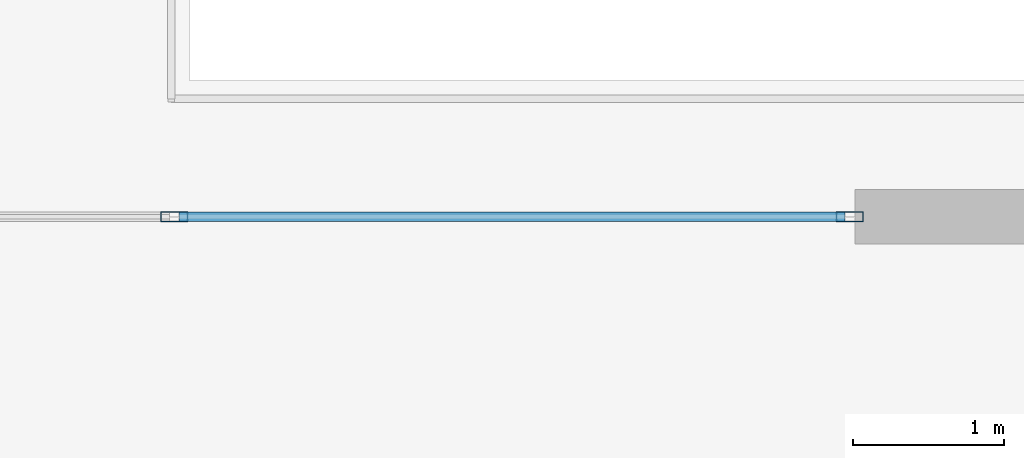
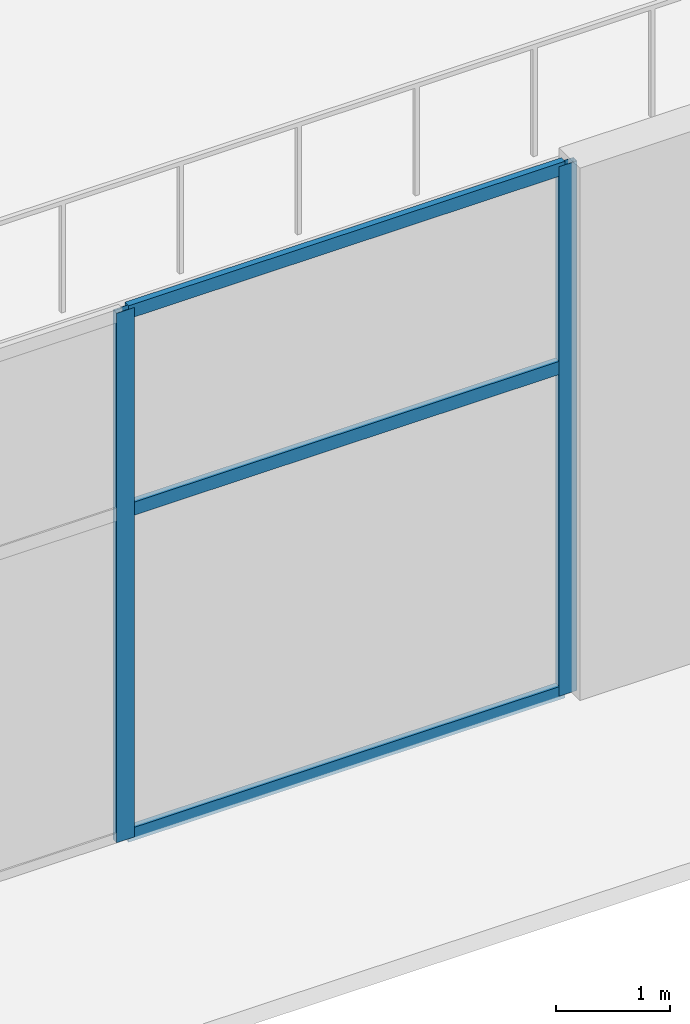
# One storey, part 12 of 30: 5 members, 1 element without a shape of its own.
"""IFC4 building model written with IfcOpenShell, lengths in metres."""

from ifc_helpers import new_model, si_unit, direction, frame, origin, origin_2d, place, context, subcontext, project, spatial, hollow_rectangle, extrude, material, layer, layer_set, material_profile, profile_set, type_object, element, aggregate, save


model = new_model("IFC4")

# Units and contexts
model_context = context("Model", 3, precision=1e-05, world=origin(), true_north=direction((0.0, 1.0)))
body_context = subcontext(model_context, "Body", "Model", "MODEL_VIEW")
ifc_project = project(units=[si_unit("LENGTHUNIT", "METRE"), si_unit("AREAUNIT", "SQUARE_METRE"), si_unit("VOLUMEUNIT", "CUBIC_METRE"), si_unit("PLANEANGLEUNIT", "RADIAN"), si_unit("MASSUNIT", "GRAM", prefix="KILO")], contexts=[model_context])

# Site, building, storey
site_placement = place(None, origin())
site = spatial("IfcSite", under=ifc_project, at=site_placement, CompositionType="ELEMENT")
building_placement = place(site_placement, origin())
building = spatial("IfcBuilding", under=site, at=building_placement, Name="Haevon Station Towers", CompositionType="ELEMENT")
storey_placement = place(building_placement, origin())
storey = spatial("IfcBuildingStorey", under=building, at=storey_placement, Name="L00", CompositionType="ELEMENT", Elevation=0.0)

# Curtain wall, members
ifc_material_1 = material(Name="Anodised aluminium and Low-E double glazing", Category="aluminium")
ifc_layer = layer(ifc_material_1, 0.179931640625)
ifc_layer_set = layer_set([ifc_layer], Name="Anodised aluminium and Low-E double glazing")
curtain_wall_type = type_object("IfcCurtainWallType", Name="CW-SYS1", PredefinedType="NOTDEFINED", material=ifc_layer_set)
curtain_wall_placement = place(storey_placement, origin())
curtain_wall = element("IfcCurtainWall", 1, at=curtain_wall_placement, inside=storey, type_object=curtain_wall_type, Name="L00 Curtain Wall CW-POD-L00-S1", PredefinedType="NOTDEFINED")
ifc_material_2 = material(Name="Anodised aluminium 6063-T6", Category="aluminium")
ifc_material_profile_1 = material_profile(ifc_material_2, hollow_rectangle(XDim=0.06494140625, YDim=0.179931640625, WallThickness=0.00390625, at=origin_2d()), Name="CWM-180x65x4")
ifc_profile_set_1 = profile_set([ifc_material_profile_1], Name="Anodised aluminium 6063-T6")
member_type_1 = type_object("IfcMemberType", Name="CWM-180", PredefinedType="MULLION", material=ifc_profile_set_1)
member_1_placement = place(storey_placement, frame((105.967529296875, 4.5, 0.0), z_axis=(0.0, 0.0, 1.0), x_axis=(0.0, -1.0, 0.0)))
member_1 = element("IfcMember", 2, at=member_1_placement, type_object=member_type_1, Name="CW-SYS1 mullion 1", PredefinedType="MULLION", context=body_context, shape_type="SweptSolid", body=[
    extrude(hollow_rectangle(XDim=0.06494140625, YDim=0.179931640625, WallThickness=0.00390625, at=origin_2d()), origin(), (0.0, 0.0, 1.0), 5.64990234375),
])
member_2_placement = place(storey_placement, frame((101.5, 4.5, 0.0), z_axis=(0.0, 0.0, 1.0), x_axis=(0.0, -1.0, 0.0)))
member_2 = element("IfcMember", 3, at=member_2_placement, type_object=member_type_1, Name="CW-SYS1 mullion 2", PredefinedType="MULLION", context=body_context, shape_type="SweptSolid", body=[
    extrude(hollow_rectangle(XDim=0.06494140625, YDim=0.179931640625, WallThickness=0.00390625, at=origin_2d()), origin(), (0.0, 0.0, 1.0), 5.64990234375),
])
ifc_material_profile_2 = material_profile(ifc_material_2, hollow_rectangle(XDim=0.06494140625, YDim=0.139892578125, WallThickness=0.00341796875, at=origin_2d()), Name="CWT-140x65x3.5")
ifc_profile_set_2 = profile_set([ifc_material_profile_2], Name="Anodised aluminium 6063-T6")
member_type_2 = type_object("IfcMemberType", Name="CWT-140", PredefinedType="USERDEFINED", material=ifc_profile_set_2)
member_3_placement = place(storey_placement, frame((105.93505859375, 4.5, 0.032470703125), z_axis=(-1.0, 0.0, 0.0), x_axis=(0.0, -1.0, 0.0)))
member_3 = element("IfcMember", 4, at=member_3_placement, type_object=member_type_2, Name="CW-SYS1 transom 1.1", ObjectType="TRANSOM", PredefinedType="USERDEFINED", context=body_context, shape_type="SweptSolid", body=[
    extrude(hollow_rectangle(XDim=0.06494140625, YDim=0.139892578125, WallThickness=0.00341796875, at=origin_2d()), origin(), (0.0, 0.0, 1.0), 4.402587890625),
])
member_4_placement = place(storey_placement, frame((105.93505859375, 4.5, 3.5029296875), z_axis=(-1.0, 0.0, 0.0), x_axis=(0.0, -1.0, 0.0)))
member_4 = element("IfcMember", 5, at=member_4_placement, type_object=member_type_2, Name="CW-SYS1 transom 1.2", ObjectType="TRANSOM", PredefinedType="USERDEFINED", context=body_context, shape_type="SweptSolid", body=[
    extrude(hollow_rectangle(XDim=0.06494140625, YDim=0.139892578125, WallThickness=0.00341796875, at=origin_2d()), origin(), (0.0, 0.0, 1.0), 4.402587890625),
])
member_5_placement = place(storey_placement, frame((105.93505859375, 4.5, 5.617431640625), z_axis=(-1.0, 0.0, 0.0), x_axis=(0.0, -1.0, 0.0)))
member_5 = element("IfcMember", 6, at=member_5_placement, type_object=member_type_2, Name="CW-SYS1 transom 1.3", ObjectType="TRANSOM", PredefinedType="USERDEFINED", context=body_context, shape_type="SweptSolid", body=[
    extrude(hollow_rectangle(XDim=0.06494140625, YDim=0.139892578125, WallThickness=0.00341796875, at=origin_2d()), origin(), (0.0, 0.0, 1.0), 4.402587890625),
])
aggregate(curtain_wall, [member_1, member_2, member_3, member_4, member_5])

save(model, "model.ifc")
